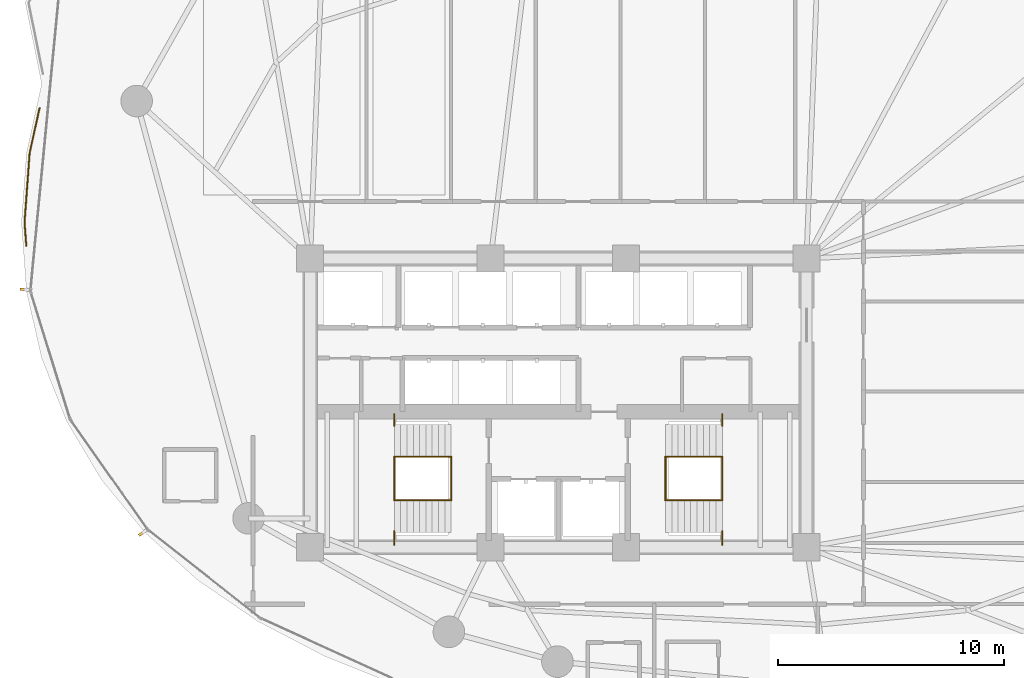
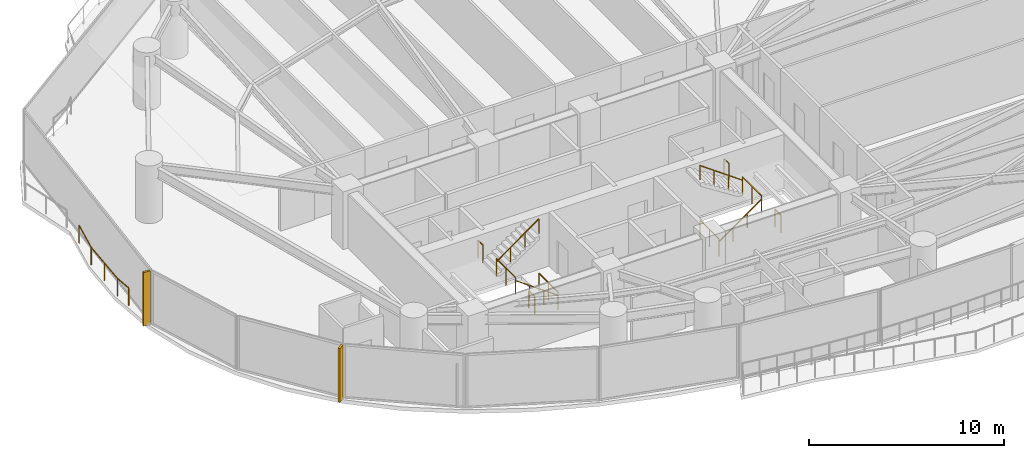
# One storey, part 30 of 32: 13 railings, 2 shading devices.
"""IFC4 building model written with IfcOpenShell, lengths in metres."""

from ifc_helpers import new_model, si_unit, direction, frame, origin, origin_2d, place, context, subcontext, project, spatial, rectangle, extrude, material, type_object, element, save


model = new_model("IFC4")

# Units and contexts
model_context = context("Model", 3, precision=1e-05, world=origin(), true_north=direction((0.0, 1.0)))
body_context = subcontext(model_context, "Body", "Model", "MODEL_VIEW")
ifc_project = project(units=[si_unit("LENGTHUNIT", "METRE"), si_unit("AREAUNIT", "SQUARE_METRE"), si_unit("VOLUMEUNIT", "CUBIC_METRE"), si_unit("PLANEANGLEUNIT", "RADIAN"), si_unit("MASSUNIT", "GRAM", prefix="KILO")], contexts=[model_context])

# Site, building, storey
site_placement = place(None, origin())
site = spatial("IfcSite", under=ifc_project, at=site_placement, CompositionType="ELEMENT")
building_placement = place(site_placement, origin())
building = spatial("IfcBuilding", under=site, at=building_placement, Name="Kazevale Care Tower and Concert Hall", CompositionType="ELEMENT")
storey_placement = place(building_placement, frame((0.0, 0.0, 34.800048828125)))
storey = spatial("IfcBuildingStorey", under=building, at=storey_placement, Name="L08", CompositionType="ELEMENT", Elevation=34.800048828125)

# Railings
ifc_material_1 = material(Name="Anodised Bronze Aluminium and Laminated Glass", Category="aluminium")
railing_type_1 = type_object("IfcRailingType", Name="Balcony and Terrace Balustrade 1120", PredefinedType="BALUSTRADE", material=ifc_material_1)
railing_1_placement = place(storey_placement, frame((9.416015625, 36.968017578125, 0.0)))
element("IfcRailing", 1, at=railing_1_placement, inside=storey, type_object=railing_type_1, Name="rail:L08:perim:1", PredefinedType="BALUSTRADE", context=body_context, shape_type="SweptSolid", body=[
    extrude(rectangle(XDim=0.048095703125, YDim=0.048095703125, at=origin_2d()), frame((0.0, 0.0, 1.09619140625), z_axis=(-0.073376305948, 0.997304325532, 0.0), x_axis=(-0.997304325532, -0.073376305948, 0.0)), (0.0, 0.0, 1.0), 1.03466796875),
    extrude(rectangle(XDim=0.048095703125, YDim=0.048095703125, at=origin_2d()), frame((-0.075927734375, 1.031982421875, 1.09619140625), z_axis=(0.072729345696, 0.997351714429, 0.0), x_axis=(-0.997351714429, 0.072729345696, 0.0)), (0.0, 0.0, 1.0), 3.078125),
    extrude(rectangle(XDim=0.048095703125, YDim=0.048095703125, at=origin_2d()), frame((0.14794921875, 4.10205078125, 1.09619140625), z_axis=(0.215389585979, 0.976528200439, 0.0), x_axis=(-0.976528200439, 0.215389585979, 0.0)), (0.0, 0.0, 1.0), 2.047119140625),
    extrude(rectangle(XDim=0.0419921875, YDim=0.0419921875, at=origin_2d()), origin(), (0.0, 0.0, 1.0), 1.072021484375),
    extrude(rectangle(XDim=0.0419921875, YDim=0.0419921875, at=origin_2d()), frame((-0.075927734375, 1.031982421875, 0.0)), (0.0, 0.0, 1.0), 1.072021484375),
    extrude(rectangle(XDim=0.0419921875, YDim=0.0419921875, at=origin_2d()), frame((0.0361328125, 2.56689453125, 0.0)), (0.0, 0.0, 1.0), 1.072021484375),
    extrude(rectangle(XDim=0.0419921875, YDim=0.0419921875, at=origin_2d()), frame((0.14794921875, 4.10205078125, 0.0)), (0.0, 0.0, 1.0), 1.072021484375),
    extrude(rectangle(XDim=0.0419921875, YDim=0.0419921875, at=origin_2d()), frame((0.5888671875, 6.10107421875, 0.0)), (0.0, 0.0, 1.0), 1.072021484375),
])
ifc_material_2 = material(Name="Stainless Steel 316", Category="steel")
railing_type_2 = type_object("IfcRailingType", Name="Stair Pitch Handrail 920", PredefinedType="HANDRAIL", material=ifc_material_2)
railing_2_placement = place(storey_placement, frame((28.25, 25.679931640625, 0.0)))
element("IfcRailing", 2, at=railing_2_placement, inside=storey, type_object=railing_type_2, Name="stair:L08:ST1:hr1", PredefinedType="HANDRAIL", context=body_context, shape_type="SweptSolid", body=[
    extrude(rectangle(XDim=0.048095703125, YDim=0.048095703125, at=origin_2d()), frame((0.0, 0.0, 0.89599609375), z_axis=(-0.813728144527, 0.0, 0.581245650998), x_axis=(0.0, -1.0, 0.0)), (0.0, 0.0, 1.0), 3.096923828125),
    extrude(rectangle(XDim=0.0419921875, YDim=0.0419921875, at=origin_2d()), origin(), (0.0, 0.0, 1.0), 0.871826171875),
    extrude(rectangle(XDim=0.0419921875, YDim=0.0419921875, at=origin_2d()), frame((-0.840087890625, 0.0, 0.60009765625)), (0.0, 0.0, 1.0), 0.871826171875),
    extrude(rectangle(XDim=0.0419921875, YDim=0.0419921875, at=origin_2d()), frame((-1.679931640625, 0.0, 1.199951171875)), (0.0, 0.0, 1.0), 0.871826171875),
    extrude(rectangle(XDim=0.0419921875, YDim=0.0419921875, at=origin_2d()), frame((-2.52001953125, 0.0, 1.800048828125)), (0.0, 0.0, 1.0), 0.871826171875),
])
railing_3_placement = place(storey_placement, frame((25.72998046875, 27.6201171875, 1.800048828125)))
element("IfcRailing", 3, at=railing_3_placement, inside=storey, type_object=railing_type_2, Name="stair:L08:ST1:hr2", PredefinedType="HANDRAIL", context=body_context, shape_type="SweptSolid", body=[
    extrude(rectangle(XDim=0.048095703125, YDim=0.048095703125, at=origin_2d()), frame((0.0, 0.0, 0.89599609375), z_axis=(0.813765431312, 0.0, 0.581193446971), x_axis=(0.0, 1.0, 0.0)), (0.0, 0.0, 1.0), 3.0966796875),
    extrude(rectangle(XDim=0.0419921875, YDim=0.0419921875, at=origin_2d()), origin(), (0.0, 0.0, 1.0), 0.871826171875),
    extrude(rectangle(XDim=0.0419921875, YDim=0.0419921875, at=origin_2d()), frame((0.840087890625, 0.0, 0.599853515625)), (0.0, 0.0, 1.0), 0.871826171875),
    extrude(rectangle(XDim=0.0419921875, YDim=0.0419921875, at=origin_2d()), frame((1.679931640625, 0.0, 1.199951171875)), (0.0, 0.0, 1.0), 0.871826171875),
    extrude(rectangle(XDim=0.0419921875, YDim=0.0419921875, at=origin_2d()), frame((2.52001953125, 0.0, 1.7998046875)), (0.0, 0.0, 1.0), 0.871826171875),
])
railing_4_placement = place(storey_placement, frame((37.75, 25.679931640625, 0.0)))
element("IfcRailing", 4, at=railing_4_placement, inside=storey, type_object=railing_type_2, Name="stair:L08:ST2:hr1", PredefinedType="HANDRAIL", context=body_context, shape_type="SweptSolid", body=[
    extrude(rectangle(XDim=0.048095703125, YDim=0.048095703125, at=origin_2d()), frame((0.0, 0.0, 0.89599609375), z_axis=(0.813728144527, 0.0, 0.581245650998), x_axis=(0.0, 1.0, 0.0)), (0.0, 0.0, 1.0), 3.096923828125),
    extrude(rectangle(XDim=0.0419921875, YDim=0.0419921875, at=origin_2d()), origin(), (0.0, 0.0, 1.0), 0.871826171875),
    extrude(rectangle(XDim=0.0419921875, YDim=0.0419921875, at=origin_2d()), frame((0.840087890625, 0.0, 0.60009765625)), (0.0, 0.0, 1.0), 0.871826171875),
    extrude(rectangle(XDim=0.0419921875, YDim=0.0419921875, at=origin_2d()), frame((1.679931640625, 0.0, 1.199951171875)), (0.0, 0.0, 1.0), 0.871826171875),
    extrude(rectangle(XDim=0.0419921875, YDim=0.0419921875, at=origin_2d()), frame((2.52001953125, 0.0, 1.800048828125)), (0.0, 0.0, 1.0), 0.871826171875),
])
railing_5_placement = place(storey_placement, frame((40.27001953125, 27.6201171875, 1.800048828125)))
element("IfcRailing", 5, at=railing_5_placement, inside=storey, type_object=railing_type_2, Name="stair:L08:ST2:hr2", PredefinedType="HANDRAIL", context=body_context, shape_type="SweptSolid", body=[
    extrude(rectangle(XDim=0.048095703125, YDim=0.048095703125, at=origin_2d()), frame((0.0, 0.0, 0.89599609375), z_axis=(-0.813765431312, 0.0, 0.581193446971), x_axis=(0.0, -1.0, 0.0)), (0.0, 0.0, 1.0), 3.0966796875),
    extrude(rectangle(XDim=0.0419921875, YDim=0.0419921875, at=origin_2d()), origin(), (0.0, 0.0, 1.0), 0.871826171875),
    extrude(rectangle(XDim=0.0419921875, YDim=0.0419921875, at=origin_2d()), frame((-0.840087890625, 0.0, 0.599853515625)), (0.0, 0.0, 1.0), 0.871826171875),
    extrude(rectangle(XDim=0.0419921875, YDim=0.0419921875, at=origin_2d()), frame((-1.679931640625, 0.0, 1.199951171875)), (0.0, 0.0, 1.0), 0.871826171875),
    extrude(rectangle(XDim=0.0419921875, YDim=0.0419921875, at=origin_2d()), frame((-2.52001953125, 0.0, 1.7998046875)), (0.0, 0.0, 1.0), 0.871826171875),
])
railing_type_3 = type_object("IfcRailingType", Name="Stair Well Guard Balustrade 1120", PredefinedType="BALUSTRADE", material=ifc_material_2)
railing_6_placement = place(storey_placement, frame((25.72998046875, 23.699951171875, 1.800048828125)))
element("IfcRailing", 6, at=railing_6_placement, inside=storey, type_object=railing_type_3, Name="stair:L08:ST1:grd_side1", PredefinedType="BALUSTRADE", context=body_context, shape_type="SweptSolid", body=[
    extrude(rectangle(XDim=0.048095703125, YDim=0.048095703125, at=origin_2d()), frame((0.0, 0.0, 1.09619140625), z_axis=(0.0, 1.0, 0.0), x_axis=(-1.0, 0.0, 0.0)), (0.0, 0.0, 1.0), 0.610107421875),
    extrude(rectangle(XDim=0.0419921875, YDim=0.0419921875, at=origin_2d()), origin(), (0.0, 0.0, 1.0), 1.072021484375),
    extrude(rectangle(XDim=0.0419921875, YDim=0.0419921875, at=origin_2d()), frame((0.0, 0.610107421875, 0.0)), (0.0, 0.0, 1.0), 1.072021484375),
])
railing_7_placement = place(storey_placement, frame((25.72998046875, 28.989990234375, 1.800048828125)))
element("IfcRailing", 7, at=railing_7_placement, inside=storey, type_object=railing_type_3, Name="stair:L08:ST1:grd_side2", PredefinedType="BALUSTRADE", context=body_context, shape_type="SweptSolid", body=[
    extrude(rectangle(XDim=0.048095703125, YDim=0.048095703125, at=origin_2d()), frame((0.0, 0.0, 1.09619140625), z_axis=(0.0, 1.0, 0.0), x_axis=(-1.0, 0.0, 0.0)), (0.0, 0.0, 1.0), 0.510009765625),
    extrude(rectangle(XDim=0.0419921875, YDim=0.0419921875, at=origin_2d()), origin(), (0.0, 0.0, 1.0), 1.072021484375),
    extrude(rectangle(XDim=0.0419921875, YDim=0.0419921875, at=origin_2d()), frame((0.0, 0.510009765625, 0.0)), (0.0, 0.0, 1.0), 1.072021484375),
])
for number, where, name in (
    (8, (25.72998046875, 25.679931640625, 1.800048828125), "stair:L08:ST1:grd_mid"),
    (9, (28.25, 25.679931640625, 0.0), "stair:L08:ST1:grd_flr"),
):
    element("IfcRailing", number, at=place(storey_placement, frame(where)), inside=storey, type_object=railing_type_3, Name=name, PredefinedType="BALUSTRADE", context=body_context, shape_type="SweptSolid", body=[
        extrude(rectangle(XDim=0.048095703125, YDim=0.048095703125, at=origin_2d()), frame((0.0, 0.0, 1.09619140625), z_axis=(0.0, 1.0, 0.0), x_axis=(-1.0, 0.0, 0.0)), (0.0, 0.0, 1.0), 1.940185546875),
        extrude(rectangle(XDim=0.0419921875, YDim=0.0419921875, at=origin_2d()), origin(), (0.0, 0.0, 1.0), 1.072021484375),
        extrude(rectangle(XDim=0.0419921875, YDim=0.0419921875, at=origin_2d()), frame((0.0, 0.97021484375, 0.0)), (0.0, 0.0, 1.0), 1.072021484375),
        extrude(rectangle(XDim=0.0419921875, YDim=0.0419921875, at=origin_2d()), frame((0.0, 1.940185546875, 0.0)), (0.0, 0.0, 1.0), 1.072021484375),
    ])
railing_8_placement = place(storey_placement, frame((40.27001953125, 23.699951171875, 1.800048828125)))
element("IfcRailing", 10, at=railing_8_placement, inside=storey, type_object=railing_type_3, Name="stair:L08:ST2:grd_side1", PredefinedType="BALUSTRADE", context=body_context, shape_type="SweptSolid", body=[
    extrude(rectangle(XDim=0.048095703125, YDim=0.048095703125, at=origin_2d()), frame((0.0, 0.0, 1.09619140625), z_axis=(0.0, 1.0, 0.0), x_axis=(-1.0, 0.0, 0.0)), (0.0, 0.0, 1.0), 0.610107421875),
    extrude(rectangle(XDim=0.0419921875, YDim=0.0419921875, at=origin_2d()), origin(), (0.0, 0.0, 1.0), 1.072021484375),
    extrude(rectangle(XDim=0.0419921875, YDim=0.0419921875, at=origin_2d()), frame((0.0, 0.610107421875, 0.0)), (0.0, 0.0, 1.0), 1.072021484375),
])
railing_9_placement = place(storey_placement, frame((40.27001953125, 28.989990234375, 1.800048828125)))
element("IfcRailing", 11, at=railing_9_placement, inside=storey, type_object=railing_type_3, Name="stair:L08:ST2:grd_side2", PredefinedType="BALUSTRADE", context=body_context, shape_type="SweptSolid", body=[
    extrude(rectangle(XDim=0.048095703125, YDim=0.048095703125, at=origin_2d()), frame((0.0, 0.0, 1.09619140625), z_axis=(0.0, 1.0, 0.0), x_axis=(-1.0, 0.0, 0.0)), (0.0, 0.0, 1.0), 0.510009765625),
    extrude(rectangle(XDim=0.0419921875, YDim=0.0419921875, at=origin_2d()), origin(), (0.0, 0.0, 1.0), 1.072021484375),
    extrude(rectangle(XDim=0.0419921875, YDim=0.0419921875, at=origin_2d()), frame((0.0, 0.510009765625, 0.0)), (0.0, 0.0, 1.0), 1.072021484375),
])
for number, where, name in (
    (12, (40.27001953125, 25.679931640625, 1.800048828125), "stair:L08:ST2:grd_mid"),
    (13, (37.75, 25.679931640625, 0.0), "stair:L08:ST2:grd_flr"),
):
    element("IfcRailing", number, at=place(storey_placement, frame(where)), inside=storey, type_object=railing_type_3, Name=name, PredefinedType="BALUSTRADE", context=body_context, shape_type="SweptSolid", body=[
        extrude(rectangle(XDim=0.048095703125, YDim=0.048095703125, at=origin_2d()), frame((0.0, 0.0, 1.09619140625), z_axis=(0.0, 1.0, 0.0), x_axis=(-1.0, 0.0, 0.0)), (0.0, 0.0, 1.0), 1.940185546875),
        extrude(rectangle(XDim=0.0419921875, YDim=0.0419921875, at=origin_2d()), origin(), (0.0, 0.0, 1.0), 1.072021484375),
        extrude(rectangle(XDim=0.0419921875, YDim=0.0419921875, at=origin_2d()), frame((0.0, 0.97021484375, 0.0)), (0.0, 0.0, 1.0), 1.072021484375),
        extrude(rectangle(XDim=0.0419921875, YDim=0.0419921875, at=origin_2d()), frame((0.0, 1.940185546875, 0.0)), (0.0, 0.0, 1.0), 1.072021484375),
    ])

# Shading devices
ifc_material_3 = material(Name="Honed Ochre Limestone", Category="masonry")
shading_device_type = type_object("IfcShadingDeviceType", Name="Vertical Honed Limestone Fin FIN-01", PredefinedType="USERDEFINED", material=ifc_material_3)
for number, where, z_axis, x_axis, name in (
    (14, (14.5693359375, 24.23779296875, 0.0), (0.0, 0.0, 1.0), (-0.817547124842, -0.575861700985, 0.0), "cw:L08:f11:fin"),
    (15, (9.3330078125, 35.0244140625, 0.0), (0.0, 0.0, 1.0), (-0.995379454967, 0.09601948047, 0.0), "cw:L08:f13:fin"),
):
    element("IfcShadingDevice", number, at=place(storey_placement, frame(where, z_axis=z_axis, x_axis=x_axis)), inside=storey, type_object=shading_device_type, Name=name, ObjectType="FIN", PredefinedType="USERDEFINED", context=body_context, shape_type="SweptSolid", body=[
        extrude(rectangle(XDim=0.3798828125, YDim=0.1201171875, at=origin_2d()), origin(), (0.0, 0.0, 1.0), 3.360107421875),
    ])

save(model, "model.ifc")
